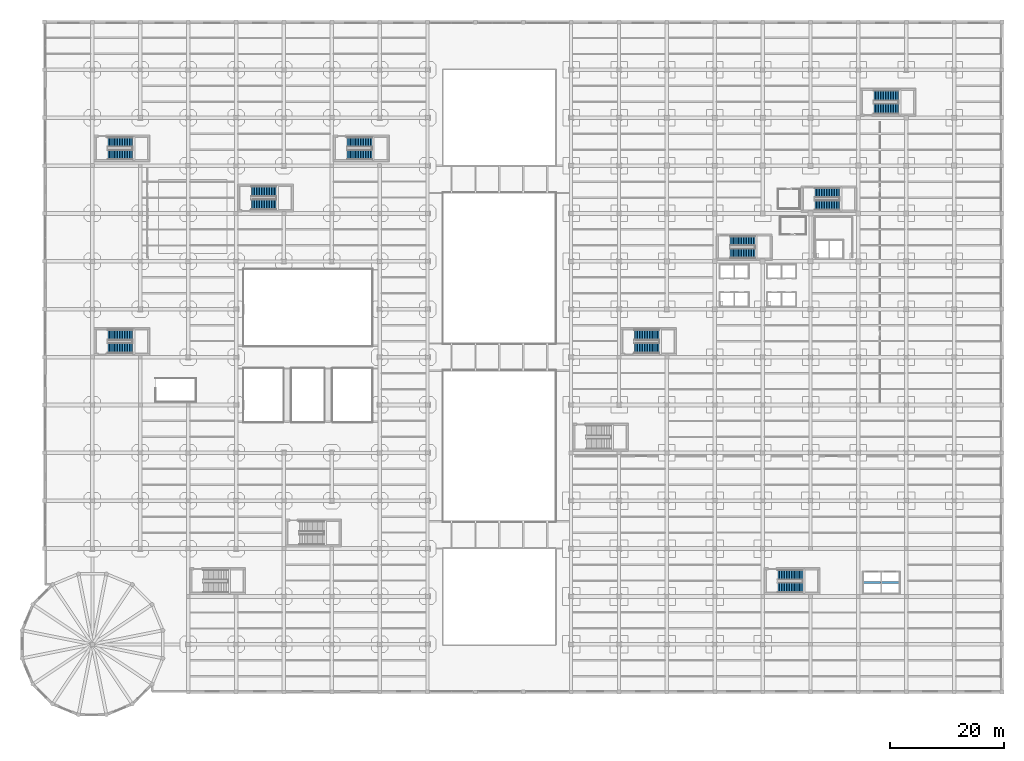
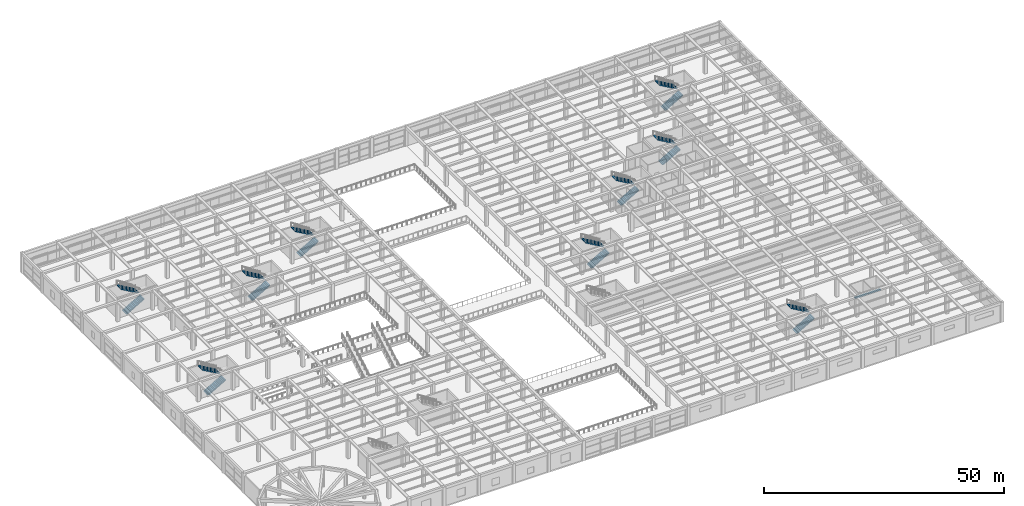
# One storey, part 54 of 65: 18 stair flights, 2 discrete accessories, 9 elements without a shape of their own.
"""IFC4 building model written with IfcOpenShell, lengths in metres."""

from ifc_helpers import new_model, si_unit, direction, frame, origin, origin_2d, place, context, subcontext, project, spatial, polyline, rectangle, outline, extrude, material, layer, layer_set, type_object, element, aggregate, save


model = new_model("IFC4")

# Units and contexts
model_context = context("Model", 3, precision=1e-05, world=origin(), true_north=direction((0.0, 1.0)))
body_context = subcontext(model_context, "Body", "Model", "MODEL_VIEW")
ifc_project = project(units=[si_unit("LENGTHUNIT", "METRE"), si_unit("AREAUNIT", "SQUARE_METRE"), si_unit("VOLUMEUNIT", "CUBIC_METRE"), si_unit("PLANEANGLEUNIT", "RADIAN"), si_unit("MASSUNIT", "GRAM", prefix="KILO")], contexts=[model_context])

# Site, building, storey
site_placement = place(None, origin())
site = spatial("IfcSite", under=ifc_project, at=site_placement, CompositionType="ELEMENT")
building_placement = place(site_placement, origin())
building = spatial("IfcBuilding", under=site, at=building_placement, Name="Almacenes y Pasaje Nevantli", CompositionType="ELEMENT")
storey_placement = place(building_placement, frame((0.0, 0.0, 16.800048828125)))
storey = spatial("IfcBuildingStorey", under=building, at=storey_placement, Name="L04", CompositionType="ELEMENT", Elevation=16.800048828125)

# Stair, stair flights
ifc_material_1 = material(Name="Concrete C35/45", Category="concrete")
stair_type_1 = type_object("IfcStairType", Name="STR-CORE-1720", PredefinedType="HALF_TURN_STAIR", material=ifc_material_1)
stair_1_placement = place(storey_placement, origin())
stair_1 = element("IfcStair", 1, at=stair_1_placement, inside=storey, type_object=stair_type_1, Name="L04 Staircase ST-01", PredefinedType="HALF_TURN_STAIR")
ifc_material_2 = material(Name="Concrete C35/45", Category="concrete")
ifc_layer_1 = layer(ifc_material_2, 0.199951171875)
ifc_layer_set_1 = layer_set([ifc_layer_1], Name="Concrete C35/45")
stair_flight_type = type_object("IfcStairFlightType", Name="SFL-RC-200", PredefinedType="STRAIGHT", material=ifc_layer_set_1)
stair_flight_1_placement = place(storey_placement, frame((120.300048828125, 77.010009765625, 0.0), z_axis=(0.0, 0.0, 1.0), x_axis=(1.0, 0.0, 0.0)))
stair_flight_1 = element("IfcStairFlight", 2, at=stair_flight_1_placement, type_object=stair_flight_type, Name="ST-01-L04 flight 1", NumberOfRisers=16, NumberOfTreads=15, PredefinedType="STRAIGHT", RiserHeight=0.16875, TreadLength=0.29, context=body_context, shape_type="SweptSolid", body=[
    extrude(outline(polyline([(0.0, 0.0), (0.0, 0.168701171875), (0.2900390625, 0.168701171875), (0.2900390625, 0.33740234375), (0.580078125, 0.33740234375), (0.580078125, 0.50634765625), (0.8701171875, 0.50634765625), (0.8701171875, 0.675048828125), (1.159912109375, 0.675048828125), (1.159912109375, 0.84375), (1.449951171875, 0.84375), (1.449951171875, 1.012451171875), (1.739990234375, 1.012451171875), (1.739990234375, 1.18115234375), (2.030029296875, 1.18115234375), (2.030029296875, 1.35009765625), (2.320068359375, 1.35009765625), (2.320068359375, 1.518798828125), (2.610107421875, 1.518798828125), (2.610107421875, 1.6875), (2.89990234375, 1.6875), (2.89990234375, 1.856201171875), (3.18994140625, 1.856201171875), (3.18994140625, 2.02490234375), (3.47998046875, 2.02490234375), (3.47998046875, 2.19384765625), (3.77001953125, 2.19384765625), (3.77001953125, 2.362548828125), (4.06005859375, 2.362548828125), (4.06005859375, 2.53125), (4.35009765625, 2.53125), (4.35009765625, 2.699951171875), (4.35009765625, 2.2998046875), (0.3974609375, 0.0), (0.0, 0.0)])), frame((0.0, 0.85986328125, 0.0), z_axis=(0.0, -1.0, 0.0), x_axis=(1.0, 0.0, 0.0)), (0.0, 0.0, 1.0), 1.719970703125),
])
stair_flight_2_placement = place(storey_placement, frame((124.64990234375, 79.179931640625, 2.699951171875), z_axis=(0.0, 0.0, 1.0), x_axis=(-1.0, 0.0, 0.0)))
stair_flight_2 = element("IfcStairFlight", 3, at=stair_flight_2_placement, type_object=stair_flight_type, Name="ST-01-L04 flight 2", NumberOfRisers=16, NumberOfTreads=15, PredefinedType="STRAIGHT", RiserHeight=0.16875, TreadLength=0.29, context=body_context, shape_type="SweptSolid", body=[
    extrude(outline(polyline([(0.0, 0.0), (0.0, 0.168701171875), (0.2900390625, 0.168701171875), (0.2900390625, 0.33740234375), (0.580078125, 0.33740234375), (0.580078125, 0.50634765625), (0.8701171875, 0.50634765625), (0.8701171875, 0.675048828125), (1.159912109375, 0.675048828125), (1.159912109375, 0.84375), (1.449951171875, 0.84375), (1.449951171875, 1.012451171875), (1.739990234375, 1.012451171875), (1.739990234375, 1.18115234375), (2.030029296875, 1.18115234375), (2.030029296875, 1.35009765625), (2.320068359375, 1.35009765625), (2.320068359375, 1.518798828125), (2.610107421875, 1.518798828125), (2.610107421875, 1.6875), (2.89990234375, 1.6875), (2.89990234375, 1.856201171875), (3.18994140625, 1.856201171875), (3.18994140625, 2.02490234375), (3.47998046875, 2.02490234375), (3.47998046875, 2.19384765625), (3.77001953125, 2.19384765625), (3.77001953125, 2.362548828125), (4.06005859375, 2.362548828125), (4.06005859375, 2.53125), (4.35009765625, 2.53125), (4.35009765625, 2.699951171875), (4.35009765625, 2.2998046875), (0.3974609375, 0.0), (0.0, 0.0)])), frame((0.0, 0.85986328125, 0.0), z_axis=(0.0, -1.0, 0.0), x_axis=(1.0, 0.0, 0.0)), (0.0, 0.0, 1.0), 1.719970703125),
])
aggregate(stair_1, [stair_flight_1, stair_flight_2])

stair_2_placement = place(storey_placement, origin())
stair_2 = element("IfcStair", 4, at=stair_2_placement, inside=storey, type_object=stair_type_1, Name="L04 Staircase ST-02", PredefinedType="HALF_TURN_STAIR")
stair_flight_3_placement = place(storey_placement, frame((135.14990234375, 85.4599609375, 0.0), z_axis=(0.0, 0.0, 1.0), x_axis=(1.0, 0.0, 0.0)))
stair_flight_3 = element("IfcStairFlight", 5, at=stair_flight_3_placement, type_object=stair_flight_type, Name="ST-02-L04 flight 1", NumberOfRisers=16, NumberOfTreads=15, PredefinedType="STRAIGHT", RiserHeight=0.16875, TreadLength=0.29, context=body_context, shape_type="SweptSolid", body=[
    extrude(outline(polyline([(0.0, 0.0), (0.0, 0.168701171875), (0.2900390625, 0.168701171875), (0.2900390625, 0.33740234375), (0.580078125, 0.33740234375), (0.580078125, 0.50634765625), (0.8701171875, 0.50634765625), (0.8701171875, 0.675048828125), (1.159912109375, 0.675048828125), (1.159912109375, 0.84375), (1.449951171875, 0.84375), (1.449951171875, 1.012451171875), (1.739990234375, 1.012451171875), (1.739990234375, 1.18115234375), (2.030029296875, 1.18115234375), (2.030029296875, 1.35009765625), (2.320068359375, 1.35009765625), (2.320068359375, 1.518798828125), (2.610107421875, 1.518798828125), (2.610107421875, 1.6875), (2.89990234375, 1.6875), (2.89990234375, 1.856201171875), (3.18994140625, 1.856201171875), (3.18994140625, 2.02490234375), (3.47998046875, 2.02490234375), (3.47998046875, 2.19384765625), (3.77001953125, 2.19384765625), (3.77001953125, 2.362548828125), (4.06005859375, 2.362548828125), (4.06005859375, 2.53125), (4.35009765625, 2.53125), (4.35009765625, 2.699951171875), (4.35009765625, 2.2998046875), (0.3974609375, 0.0), (0.0, 0.0)])), frame((0.0, 0.85986328125, 0.0), z_axis=(0.0, -1.0, 0.0), x_axis=(1.0, 0.0, 0.0)), (0.0, 0.0, 1.0), 1.719970703125),
])
stair_flight_4_placement = place(storey_placement, frame((139.5, 87.6298828125, 2.699951171875), z_axis=(0.0, 0.0, 1.0), x_axis=(-1.0, 0.0, 0.0)))
stair_flight_4 = element("IfcStairFlight", 6, at=stair_flight_4_placement, type_object=stair_flight_type, Name="ST-02-L04 flight 2", NumberOfRisers=16, NumberOfTreads=15, PredefinedType="STRAIGHT", RiserHeight=0.16875, TreadLength=0.29, context=body_context, shape_type="SweptSolid", body=[
    extrude(outline(polyline([(0.0, 0.0), (0.0, 0.168701171875), (0.2900390625, 0.168701171875), (0.2900390625, 0.33740234375), (0.580078125, 0.33740234375), (0.580078125, 0.50634765625), (0.8701171875, 0.50634765625), (0.8701171875, 0.675048828125), (1.159912109375, 0.675048828125), (1.159912109375, 0.84375), (1.449951171875, 0.84375), (1.449951171875, 1.012451171875), (1.739990234375, 1.012451171875), (1.739990234375, 1.18115234375), (2.030029296875, 1.18115234375), (2.030029296875, 1.35009765625), (2.320068359375, 1.35009765625), (2.320068359375, 1.518798828125), (2.610107421875, 1.518798828125), (2.610107421875, 1.6875), (2.89990234375, 1.6875), (2.89990234375, 1.856201171875), (3.18994140625, 1.856201171875), (3.18994140625, 2.02490234375), (3.47998046875, 2.02490234375), (3.47998046875, 2.19384765625), (3.77001953125, 2.19384765625), (3.77001953125, 2.362548828125), (4.06005859375, 2.362548828125), (4.06005859375, 2.53125), (4.35009765625, 2.53125), (4.35009765625, 2.699951171875), (4.35009765625, 2.2998046875), (0.3974609375, 0.0), (0.0, 0.0)])), frame((0.0, 0.85986328125, 0.0), z_axis=(0.0, -1.0, 0.0), x_axis=(1.0, 0.0, 0.0)), (0.0, 0.0, 1.0), 1.719970703125),
])
aggregate(stair_2, [stair_flight_3, stair_flight_4])

ifc_material_3 = material(Name="Concrete C35/45", Category="concrete")
stair_type_2 = type_object("IfcStairType", Name="STR-CORE-1750", PredefinedType="HALF_TURN_STAIR", material=ifc_material_3)
stair_3_placement = place(storey_placement, origin())
stair_3 = element("IfcStair", 7, at=stair_3_placement, inside=storey, type_object=stair_type_2, Name="L04 Staircase ST-03", PredefinedType="HALF_TURN_STAIR")
stair_flight_5_placement = place(storey_placement, frame((11.10009765625, 94.324951171875, 0.0), z_axis=(0.0, 0.0, 1.0), x_axis=(1.0, 0.0, 0.0)))
stair_flight_5 = element("IfcStairFlight", 8, at=stair_flight_5_placement, type_object=stair_flight_type, Name="ST-03-L04 flight 1", NumberOfRisers=16, NumberOfTreads=15, PredefinedType="STRAIGHT", RiserHeight=0.16875, TreadLength=0.29, context=body_context, shape_type="SweptSolid", body=[
    extrude(outline(polyline([(0.0, 0.0), (0.0, 0.168701171875), (0.2900390625, 0.168701171875), (0.2900390625, 0.33740234375), (0.580078125, 0.33740234375), (0.580078125, 0.50634765625), (0.8701171875, 0.50634765625), (0.8701171875, 0.675048828125), (1.159912109375, 0.675048828125), (1.159912109375, 0.84375), (1.449951171875, 0.84375), (1.449951171875, 1.012451171875), (1.739990234375, 1.012451171875), (1.739990234375, 1.18115234375), (2.030029296875, 1.18115234375), (2.030029296875, 1.35009765625), (2.320068359375, 1.35009765625), (2.320068359375, 1.518798828125), (2.610107421875, 1.518798828125), (2.610107421875, 1.6875), (2.89990234375, 1.6875), (2.89990234375, 1.856201171875), (3.18994140625, 1.856201171875), (3.18994140625, 2.02490234375), (3.47998046875, 2.02490234375), (3.47998046875, 2.19384765625), (3.77001953125, 2.19384765625), (3.77001953125, 2.362548828125), (4.06005859375, 2.362548828125), (4.06005859375, 2.53125), (4.35009765625, 2.53125), (4.35009765625, 2.699951171875), (4.35009765625, 2.2998046875), (0.3974609375, 0.0), (0.0, 0.0)])), frame((0.0, 0.875, 0.0), z_axis=(0.0, -1.0, 0.0), x_axis=(1.0, 0.0, 0.0)), (0.0, 0.0, 1.0), 1.75),
])
stair_flight_6_placement = place(storey_placement, frame((15.449951171875, 96.52490234375, 2.699951171875), z_axis=(0.0, 0.0, 1.0), x_axis=(-1.0, 0.0, 0.0)))
stair_flight_6 = element("IfcStairFlight", 9, at=stair_flight_6_placement, type_object=stair_flight_type, Name="ST-03-L04 flight 2", NumberOfRisers=16, NumberOfTreads=15, PredefinedType="STRAIGHT", RiserHeight=0.16875, TreadLength=0.29, context=body_context, shape_type="SweptSolid", body=[
    extrude(outline(polyline([(0.0, 0.0), (0.0, 0.168701171875), (0.2900390625, 0.168701171875), (0.2900390625, 0.33740234375), (0.580078125, 0.33740234375), (0.580078125, 0.50634765625), (0.8701171875, 0.50634765625), (0.8701171875, 0.675048828125), (1.159912109375, 0.675048828125), (1.159912109375, 0.84375), (1.449951171875, 0.84375), (1.449951171875, 1.012451171875), (1.739990234375, 1.012451171875), (1.739990234375, 1.18115234375), (2.030029296875, 1.18115234375), (2.030029296875, 1.35009765625), (2.320068359375, 1.35009765625), (2.320068359375, 1.518798828125), (2.610107421875, 1.518798828125), (2.610107421875, 1.6875), (2.89990234375, 1.6875), (2.89990234375, 1.856201171875), (3.18994140625, 1.856201171875), (3.18994140625, 2.02490234375), (3.47998046875, 2.02490234375), (3.47998046875, 2.19384765625), (3.77001953125, 2.19384765625), (3.77001953125, 2.362548828125), (4.06005859375, 2.362548828125), (4.06005859375, 2.53125), (4.35009765625, 2.53125), (4.35009765625, 2.699951171875), (4.35009765625, 2.2998046875), (0.3974609375, 0.0), (0.0, 0.0)])), frame((0.0, 0.875, 0.0), z_axis=(0.0, -1.0, 0.0), x_axis=(1.0, 0.0, 0.0)), (0.0, 0.0, 1.0), 1.75),
])
aggregate(stair_3, [stair_flight_5, stair_flight_6])

stair_4_placement = place(storey_placement, origin())
stair_4 = element("IfcStair", 10, at=stair_4_placement, inside=storey, type_object=stair_type_2, Name="L04 Staircase ST-05", PredefinedType="HALF_TURN_STAIR")
stair_flight_7_placement = place(storey_placement, frame((53.10009765625, 94.324951171875, 0.0), z_axis=(0.0, 0.0, 1.0), x_axis=(1.0, 0.0, 0.0)))
stair_flight_7 = element("IfcStairFlight", 11, at=stair_flight_7_placement, type_object=stair_flight_type, Name="ST-05-L04 flight 1", NumberOfRisers=16, NumberOfTreads=15, PredefinedType="STRAIGHT", RiserHeight=0.16875, TreadLength=0.29, context=body_context, shape_type="SweptSolid", body=[
    extrude(outline(polyline([(0.0, 0.0), (0.0, 0.168701171875), (0.2900390625, 0.168701171875), (0.2900390625, 0.33740234375), (0.580078125, 0.33740234375), (0.580078125, 0.50634765625), (0.8701171875, 0.50634765625), (0.8701171875, 0.675048828125), (1.159912109375, 0.675048828125), (1.159912109375, 0.84375), (1.449951171875, 0.84375), (1.449951171875, 1.012451171875), (1.739990234375, 1.012451171875), (1.739990234375, 1.18115234375), (2.030029296875, 1.18115234375), (2.030029296875, 1.35009765625), (2.320068359375, 1.35009765625), (2.320068359375, 1.518798828125), (2.610107421875, 1.518798828125), (2.610107421875, 1.6875), (2.89990234375, 1.6875), (2.89990234375, 1.856201171875), (3.18994140625, 1.856201171875), (3.18994140625, 2.02490234375), (3.47998046875, 2.02490234375), (3.47998046875, 2.19384765625), (3.77001953125, 2.19384765625), (3.77001953125, 2.362548828125), (4.06005859375, 2.362548828125), (4.06005859375, 2.53125), (4.35009765625, 2.53125), (4.35009765625, 2.699951171875), (4.35009765625, 2.2998046875), (0.3974609375, 0.0), (0.0, 0.0)])), frame((0.0, 0.875, 0.0), z_axis=(0.0, -1.0, 0.0), x_axis=(1.0, 0.0, 0.0)), (0.0, 0.0, 1.0), 1.75),
])
stair_flight_8_placement = place(storey_placement, frame((57.449951171875, 96.52490234375, 2.699951171875), z_axis=(0.0, 0.0, 1.0), x_axis=(-1.0, 0.0, 0.0)))
stair_flight_8 = element("IfcStairFlight", 12, at=stair_flight_8_placement, type_object=stair_flight_type, Name="ST-05-L04 flight 2", NumberOfRisers=16, NumberOfTreads=15, PredefinedType="STRAIGHT", RiserHeight=0.16875, TreadLength=0.29, context=body_context, shape_type="SweptSolid", body=[
    extrude(outline(polyline([(0.0, 0.0), (0.0, 0.168701171875), (0.2900390625, 0.168701171875), (0.2900390625, 0.33740234375), (0.580078125, 0.33740234375), (0.580078125, 0.50634765625), (0.8701171875, 0.50634765625), (0.8701171875, 0.675048828125), (1.159912109375, 0.675048828125), (1.159912109375, 0.84375), (1.449951171875, 0.84375), (1.449951171875, 1.012451171875), (1.739990234375, 1.012451171875), (1.739990234375, 1.18115234375), (2.030029296875, 1.18115234375), (2.030029296875, 1.35009765625), (2.320068359375, 1.35009765625), (2.320068359375, 1.518798828125), (2.610107421875, 1.518798828125), (2.610107421875, 1.6875), (2.89990234375, 1.6875), (2.89990234375, 1.856201171875), (3.18994140625, 1.856201171875), (3.18994140625, 2.02490234375), (3.47998046875, 2.02490234375), (3.47998046875, 2.19384765625), (3.77001953125, 2.19384765625), (3.77001953125, 2.362548828125), (4.06005859375, 2.362548828125), (4.06005859375, 2.53125), (4.35009765625, 2.53125), (4.35009765625, 2.699951171875), (4.35009765625, 2.2998046875), (0.3974609375, 0.0), (0.0, 0.0)])), frame((0.0, 0.875, 0.0), z_axis=(0.0, -1.0, 0.0), x_axis=(1.0, 0.0, 0.0)), (0.0, 0.0, 1.0), 1.75),
])
aggregate(stair_4, [stair_flight_7, stair_flight_8])

stair_5_placement = place(storey_placement, origin())
stair_5 = element("IfcStair", 13, at=stair_5_placement, inside=storey, type_object=stair_type_2, Name="L04 Staircase ST-06", PredefinedType="HALF_TURN_STAIR")
stair_flight_9_placement = place(storey_placement, frame((128.699951171875, 18.375, 0.0), z_axis=(0.0, 0.0, 1.0), x_axis=(1.0, 0.0, 0.0)))
stair_flight_9 = element("IfcStairFlight", 14, at=stair_flight_9_placement, type_object=stair_flight_type, Name="ST-06-L04 flight 1", NumberOfRisers=16, NumberOfTreads=15, PredefinedType="STRAIGHT", RiserHeight=0.16875, TreadLength=0.29, context=body_context, shape_type="SweptSolid", body=[
    extrude(outline(polyline([(0.0, 0.0), (0.0, 0.168701171875), (0.2900390625, 0.168701171875), (0.2900390625, 0.33740234375), (0.580078125, 0.33740234375), (0.580078125, 0.50634765625), (0.8701171875, 0.50634765625), (0.8701171875, 0.675048828125), (1.159912109375, 0.675048828125), (1.159912109375, 0.84375), (1.449951171875, 0.84375), (1.449951171875, 1.012451171875), (1.739990234375, 1.012451171875), (1.739990234375, 1.18115234375), (2.030029296875, 1.18115234375), (2.030029296875, 1.35009765625), (2.320068359375, 1.35009765625), (2.320068359375, 1.518798828125), (2.610107421875, 1.518798828125), (2.610107421875, 1.6875), (2.89990234375, 1.6875), (2.89990234375, 1.856201171875), (3.18994140625, 1.856201171875), (3.18994140625, 2.02490234375), (3.47998046875, 2.02490234375), (3.47998046875, 2.19384765625), (3.77001953125, 2.19384765625), (3.77001953125, 2.362548828125), (4.06005859375, 2.362548828125), (4.06005859375, 2.53125), (4.35009765625, 2.53125), (4.35009765625, 2.699951171875), (4.35009765625, 2.2998046875), (0.3974609375, 0.0), (0.0, 0.0)])), frame((0.0, 0.875, 0.0), z_axis=(0.0, -1.0, 0.0), x_axis=(1.0, 0.0, 0.0)), (0.0, 0.0, 1.0), 1.75),
])
stair_flight_10_placement = place(storey_placement, frame((133.050048828125, 20.574951171875, 2.699951171875), z_axis=(0.0, 0.0, 1.0), x_axis=(-1.0, 0.0, 0.0)))
stair_flight_10 = element("IfcStairFlight", 15, at=stair_flight_10_placement, type_object=stair_flight_type, Name="ST-06-L04 flight 2", NumberOfRisers=16, NumberOfTreads=15, PredefinedType="STRAIGHT", RiserHeight=0.16875, TreadLength=0.29, context=body_context, shape_type="SweptSolid", body=[
    extrude(outline(polyline([(0.0, 0.0), (0.0, 0.168701171875), (0.2900390625, 0.168701171875), (0.2900390625, 0.33740234375), (0.580078125, 0.33740234375), (0.580078125, 0.50634765625), (0.8701171875, 0.50634765625), (0.8701171875, 0.675048828125), (1.159912109375, 0.675048828125), (1.159912109375, 0.84375), (1.449951171875, 0.84375), (1.449951171875, 1.012451171875), (1.739990234375, 1.012451171875), (1.739990234375, 1.18115234375), (2.030029296875, 1.18115234375), (2.030029296875, 1.35009765625), (2.320068359375, 1.35009765625), (2.320068359375, 1.518798828125), (2.610107421875, 1.518798828125), (2.610107421875, 1.6875), (2.89990234375, 1.6875), (2.89990234375, 1.856201171875), (3.18994140625, 1.856201171875), (3.18994140625, 2.02490234375), (3.47998046875, 2.02490234375), (3.47998046875, 2.19384765625), (3.77001953125, 2.19384765625), (3.77001953125, 2.362548828125), (4.06005859375, 2.362548828125), (4.06005859375, 2.53125), (4.35009765625, 2.53125), (4.35009765625, 2.699951171875), (4.35009765625, 2.2998046875), (0.3974609375, 0.0), (0.0, 0.0)])), frame((0.0, 0.875, 0.0), z_axis=(0.0, -1.0, 0.0), x_axis=(1.0, 0.0, 0.0)), (0.0, 0.0, 1.0), 1.75),
])
aggregate(stair_5, [stair_flight_9, stair_flight_10])

ifc_material_4 = material(Name="Concrete C35/45", Category="concrete")
stair_type_3 = type_object("IfcStairType", Name="STR-CORE-1850", PredefinedType="HALF_TURN_STAIR", material=ifc_material_4)
stair_6_placement = place(storey_placement, origin())
stair_6 = element("IfcStair", 16, at=stair_6_placement, inside=storey, type_object=stair_type_3, Name="L04 Staircase ST-07", PredefinedType="HALF_TURN_STAIR")
stair_flight_11_placement = place(storey_placement, frame((145.5, 102.375, 0.0), z_axis=(0.0, 0.0, 1.0), x_axis=(1.0, 0.0, 0.0)))
stair_flight_11 = element("IfcStairFlight", 17, at=stair_flight_11_placement, type_object=stair_flight_type, Name="ST-07-L04 flight 1", NumberOfRisers=16, NumberOfTreads=15, PredefinedType="STRAIGHT", RiserHeight=0.16875, TreadLength=0.29, context=body_context, shape_type="SweptSolid", body=[
    extrude(outline(polyline([(0.0, 0.0), (0.0, 0.168701171875), (0.2900390625, 0.168701171875), (0.2900390625, 0.33740234375), (0.580078125, 0.33740234375), (0.580078125, 0.50634765625), (0.8701171875, 0.50634765625), (0.8701171875, 0.675048828125), (1.159912109375, 0.675048828125), (1.159912109375, 0.84375), (1.449951171875, 0.84375), (1.449951171875, 1.012451171875), (1.739990234375, 1.012451171875), (1.739990234375, 1.18115234375), (2.030029296875, 1.18115234375), (2.030029296875, 1.35009765625), (2.320068359375, 1.35009765625), (2.320068359375, 1.518798828125), (2.610107421875, 1.518798828125), (2.610107421875, 1.6875), (2.89990234375, 1.6875), (2.89990234375, 1.856201171875), (3.18994140625, 1.856201171875), (3.18994140625, 2.02490234375), (3.47998046875, 2.02490234375), (3.47998046875, 2.19384765625), (3.77001953125, 2.19384765625), (3.77001953125, 2.362548828125), (4.06005859375, 2.362548828125), (4.06005859375, 2.53125), (4.35009765625, 2.53125), (4.35009765625, 2.699951171875), (4.35009765625, 2.2998046875), (0.3974609375, 0.0), (0.0, 0.0)])), frame((0.0, 0.925048828125, 0.0), z_axis=(0.0, -1.0, 0.0), x_axis=(1.0, 0.0, 0.0)), (0.0, 0.0, 1.0), 1.85009765625),
])
stair_flight_12_placement = place(storey_placement, frame((149.85009765625, 104.675048828125, 2.699951171875), z_axis=(0.0, 0.0, 1.0), x_axis=(-1.0, 0.0, 0.0)))
stair_flight_12 = element("IfcStairFlight", 18, at=stair_flight_12_placement, type_object=stair_flight_type, Name="ST-07-L04 flight 2", NumberOfRisers=16, NumberOfTreads=15, PredefinedType="STRAIGHT", RiserHeight=0.16875, TreadLength=0.29, context=body_context, shape_type="SweptSolid", body=[
    extrude(outline(polyline([(0.0, 0.0), (0.0, 0.168701171875), (0.2900390625, 0.168701171875), (0.2900390625, 0.33740234375), (0.580078125, 0.33740234375), (0.580078125, 0.50634765625), (0.8701171875, 0.50634765625), (0.8701171875, 0.675048828125), (1.159912109375, 0.675048828125), (1.159912109375, 0.84375), (1.449951171875, 0.84375), (1.449951171875, 1.012451171875), (1.739990234375, 1.012451171875), (1.739990234375, 1.18115234375), (2.030029296875, 1.18115234375), (2.030029296875, 1.35009765625), (2.320068359375, 1.35009765625), (2.320068359375, 1.518798828125), (2.610107421875, 1.518798828125), (2.610107421875, 1.6875), (2.89990234375, 1.6875), (2.89990234375, 1.856201171875), (3.18994140625, 1.856201171875), (3.18994140625, 2.02490234375), (3.47998046875, 2.02490234375), (3.47998046875, 2.19384765625), (3.77001953125, 2.19384765625), (3.77001953125, 2.362548828125), (4.06005859375, 2.362548828125), (4.06005859375, 2.53125), (4.35009765625, 2.53125), (4.35009765625, 2.699951171875), (4.35009765625, 2.2998046875), (0.3974609375, 0.0), (0.0, 0.0)])), frame((0.0, 0.925048828125, 0.0), z_axis=(0.0, -1.0, 0.0), x_axis=(1.0, 0.0, 0.0)), (0.0, 0.0, 1.0), 1.85009765625),
])
aggregate(stair_6, [stair_flight_11, stair_flight_12])

stair_7_placement = place(storey_placement, origin())
stair_7 = element("IfcStair", 19, at=stair_7_placement, inside=storey, type_object=stair_type_3, Name="L04 Staircase ST-12", PredefinedType="HALF_TURN_STAIR")
stair_flight_13_placement = place(storey_placement, frame((11.10009765625, 60.375, 0.0), z_axis=(0.0, 0.0, 1.0), x_axis=(1.0, 0.0, 0.0)))
stair_flight_13 = element("IfcStairFlight", 20, at=stair_flight_13_placement, type_object=stair_flight_type, Name="ST-12-L04 flight 1", NumberOfRisers=16, NumberOfTreads=15, PredefinedType="STRAIGHT", RiserHeight=0.16875, TreadLength=0.29, context=body_context, shape_type="SweptSolid", body=[
    extrude(outline(polyline([(0.0, 0.0), (0.0, 0.168701171875), (0.2900390625, 0.168701171875), (0.2900390625, 0.33740234375), (0.580078125, 0.33740234375), (0.580078125, 0.50634765625), (0.8701171875, 0.50634765625), (0.8701171875, 0.675048828125), (1.159912109375, 0.675048828125), (1.159912109375, 0.84375), (1.449951171875, 0.84375), (1.449951171875, 1.012451171875), (1.739990234375, 1.012451171875), (1.739990234375, 1.18115234375), (2.030029296875, 1.18115234375), (2.030029296875, 1.35009765625), (2.320068359375, 1.35009765625), (2.320068359375, 1.518798828125), (2.610107421875, 1.518798828125), (2.610107421875, 1.6875), (2.89990234375, 1.6875), (2.89990234375, 1.856201171875), (3.18994140625, 1.856201171875), (3.18994140625, 2.02490234375), (3.47998046875, 2.02490234375), (3.47998046875, 2.19384765625), (3.77001953125, 2.19384765625), (3.77001953125, 2.362548828125), (4.06005859375, 2.362548828125), (4.06005859375, 2.53125), (4.35009765625, 2.53125), (4.35009765625, 2.699951171875), (4.35009765625, 2.2998046875), (0.3974609375, 0.0), (0.0, 0.0)])), frame((0.0, 0.925048828125, 0.0), z_axis=(0.0, -1.0, 0.0), x_axis=(1.0, 0.0, 0.0)), (0.0, 0.0, 1.0), 1.85009765625),
])
stair_flight_14_placement = place(storey_placement, frame((15.449951171875, 62.675048828125, 2.699951171875), z_axis=(0.0, 0.0, 1.0), x_axis=(-1.0, 0.0, 0.0)))
stair_flight_14 = element("IfcStairFlight", 21, at=stair_flight_14_placement, type_object=stair_flight_type, Name="ST-12-L04 flight 2", NumberOfRisers=16, NumberOfTreads=15, PredefinedType="STRAIGHT", RiserHeight=0.16875, TreadLength=0.29, context=body_context, shape_type="SweptSolid", body=[
    extrude(outline(polyline([(0.0, 0.0), (0.0, 0.168701171875), (0.2900390625, 0.168701171875), (0.2900390625, 0.33740234375), (0.580078125, 0.33740234375), (0.580078125, 0.50634765625), (0.8701171875, 0.50634765625), (0.8701171875, 0.675048828125), (1.159912109375, 0.675048828125), (1.159912109375, 0.84375), (1.449951171875, 0.84375), (1.449951171875, 1.012451171875), (1.739990234375, 1.012451171875), (1.739990234375, 1.18115234375), (2.030029296875, 1.18115234375), (2.030029296875, 1.35009765625), (2.320068359375, 1.35009765625), (2.320068359375, 1.518798828125), (2.610107421875, 1.518798828125), (2.610107421875, 1.6875), (2.89990234375, 1.6875), (2.89990234375, 1.856201171875), (3.18994140625, 1.856201171875), (3.18994140625, 2.02490234375), (3.47998046875, 2.02490234375), (3.47998046875, 2.19384765625), (3.77001953125, 2.19384765625), (3.77001953125, 2.362548828125), (4.06005859375, 2.362548828125), (4.06005859375, 2.53125), (4.35009765625, 2.53125), (4.35009765625, 2.699951171875), (4.35009765625, 2.2998046875), (0.3974609375, 0.0), (0.0, 0.0)])), frame((0.0, 0.925048828125, 0.0), z_axis=(0.0, -1.0, 0.0), x_axis=(1.0, 0.0, 0.0)), (0.0, 0.0, 1.0), 1.85009765625),
])
aggregate(stair_7, [stair_flight_13, stair_flight_14])

stair_8_placement = place(storey_placement, origin())
stair_8 = element("IfcStair", 22, at=stair_8_placement, inside=storey, type_object=stair_type_3, Name="L04 Staircase ST-13", PredefinedType="HALF_TURN_STAIR")
stair_flight_15_placement = place(storey_placement, frame((103.5, 60.375, 0.0), z_axis=(0.0, 0.0, 1.0), x_axis=(1.0, 0.0, 0.0)))
stair_flight_15 = element("IfcStairFlight", 23, at=stair_flight_15_placement, type_object=stair_flight_type, Name="ST-13-L04 flight 1", NumberOfRisers=16, NumberOfTreads=15, PredefinedType="STRAIGHT", RiserHeight=0.16875, TreadLength=0.29, context=body_context, shape_type="SweptSolid", body=[
    extrude(outline(polyline([(0.0, 0.0), (0.0, 0.168701171875), (0.2900390625, 0.168701171875), (0.2900390625, 0.33740234375), (0.580078125, 0.33740234375), (0.580078125, 0.50634765625), (0.8701171875, 0.50634765625), (0.8701171875, 0.675048828125), (1.159912109375, 0.675048828125), (1.159912109375, 0.84375), (1.449951171875, 0.84375), (1.449951171875, 1.012451171875), (1.739990234375, 1.012451171875), (1.739990234375, 1.18115234375), (2.030029296875, 1.18115234375), (2.030029296875, 1.35009765625), (2.320068359375, 1.35009765625), (2.320068359375, 1.518798828125), (2.610107421875, 1.518798828125), (2.610107421875, 1.6875), (2.89990234375, 1.6875), (2.89990234375, 1.856201171875), (3.18994140625, 1.856201171875), (3.18994140625, 2.02490234375), (3.47998046875, 2.02490234375), (3.47998046875, 2.19384765625), (3.77001953125, 2.19384765625), (3.77001953125, 2.362548828125), (4.06005859375, 2.362548828125), (4.06005859375, 2.53125), (4.35009765625, 2.53125), (4.35009765625, 2.699951171875), (4.35009765625, 2.2998046875), (0.3974609375, 0.0), (0.0, 0.0)])), frame((0.0, 0.925048828125, 0.0), z_axis=(0.0, -1.0, 0.0), x_axis=(1.0, 0.0, 0.0)), (0.0, 0.0, 1.0), 1.85009765625),
])
stair_flight_16_placement = place(storey_placement, frame((107.85009765625, 62.675048828125, 2.699951171875), z_axis=(0.0, 0.0, 1.0), x_axis=(-1.0, 0.0, 0.0)))
stair_flight_16 = element("IfcStairFlight", 24, at=stair_flight_16_placement, type_object=stair_flight_type, Name="ST-13-L04 flight 2", NumberOfRisers=16, NumberOfTreads=15, PredefinedType="STRAIGHT", RiserHeight=0.16875, TreadLength=0.29, context=body_context, shape_type="SweptSolid", body=[
    extrude(outline(polyline([(0.0, 0.0), (0.0, 0.168701171875), (0.2900390625, 0.168701171875), (0.2900390625, 0.33740234375), (0.580078125, 0.33740234375), (0.580078125, 0.50634765625), (0.8701171875, 0.50634765625), (0.8701171875, 0.675048828125), (1.159912109375, 0.675048828125), (1.159912109375, 0.84375), (1.449951171875, 0.84375), (1.449951171875, 1.012451171875), (1.739990234375, 1.012451171875), (1.739990234375, 1.18115234375), (2.030029296875, 1.18115234375), (2.030029296875, 1.35009765625), (2.320068359375, 1.35009765625), (2.320068359375, 1.518798828125), (2.610107421875, 1.518798828125), (2.610107421875, 1.6875), (2.89990234375, 1.6875), (2.89990234375, 1.856201171875), (3.18994140625, 1.856201171875), (3.18994140625, 2.02490234375), (3.47998046875, 2.02490234375), (3.47998046875, 2.19384765625), (3.77001953125, 2.19384765625), (3.77001953125, 2.362548828125), (4.06005859375, 2.362548828125), (4.06005859375, 2.53125), (4.35009765625, 2.53125), (4.35009765625, 2.699951171875), (4.35009765625, 2.2998046875), (0.3974609375, 0.0), (0.0, 0.0)])), frame((0.0, 0.925048828125, 0.0), z_axis=(0.0, -1.0, 0.0), x_axis=(1.0, 0.0, 0.0)), (0.0, 0.0, 1.0), 1.85009765625),
])
aggregate(stair_8, [stair_flight_15, stair_flight_16])

stair_9_placement = place(storey_placement, origin())
stair_9 = element("IfcStair", 25, at=stair_9_placement, inside=storey, type_object=stair_type_3, Name="L04 Staircase ST-15", PredefinedType="HALF_TURN_STAIR")
stair_flight_17_placement = place(storey_placement, frame((36.300048828125, 85.574951171875, 0.0), z_axis=(0.0, 0.0, 1.0), x_axis=(1.0, 0.0, 0.0)))
stair_flight_17 = element("IfcStairFlight", 26, at=stair_flight_17_placement, type_object=stair_flight_type, Name="ST-15-L04 flight 1", NumberOfRisers=16, NumberOfTreads=15, PredefinedType="STRAIGHT", RiserHeight=0.16875, TreadLength=0.29, context=body_context, shape_type="SweptSolid", body=[
    extrude(outline(polyline([(0.0, 0.0), (0.0, 0.168701171875), (0.2900390625, 0.168701171875), (0.2900390625, 0.33740234375), (0.580078125, 0.33740234375), (0.580078125, 0.50634765625), (0.8701171875, 0.50634765625), (0.8701171875, 0.675048828125), (1.159912109375, 0.675048828125), (1.159912109375, 0.84375), (1.449951171875, 0.84375), (1.449951171875, 1.012451171875), (1.739990234375, 1.012451171875), (1.739990234375, 1.18115234375), (2.030029296875, 1.18115234375), (2.030029296875, 1.35009765625), (2.320068359375, 1.35009765625), (2.320068359375, 1.518798828125), (2.610107421875, 1.518798828125), (2.610107421875, 1.6875), (2.89990234375, 1.6875), (2.89990234375, 1.856201171875), (3.18994140625, 1.856201171875), (3.18994140625, 2.02490234375), (3.47998046875, 2.02490234375), (3.47998046875, 2.19384765625), (3.77001953125, 2.19384765625), (3.77001953125, 2.362548828125), (4.06005859375, 2.362548828125), (4.06005859375, 2.53125), (4.35009765625, 2.53125), (4.35009765625, 2.699951171875), (4.35009765625, 2.2998046875), (0.3974609375, 0.0), (0.0, 0.0)])), frame((0.0, 0.925048828125, 0.0), z_axis=(0.0, -1.0, 0.0), x_axis=(1.0, 0.0, 0.0)), (0.0, 0.0, 1.0), 1.85009765625),
])
stair_flight_18_placement = place(storey_placement, frame((40.64990234375, 87.875, 2.699951171875), z_axis=(0.0, 0.0, 1.0), x_axis=(-1.0, 0.0, 0.0)))
stair_flight_18 = element("IfcStairFlight", 27, at=stair_flight_18_placement, type_object=stair_flight_type, Name="ST-15-L04 flight 2", NumberOfRisers=16, NumberOfTreads=15, PredefinedType="STRAIGHT", RiserHeight=0.16875, TreadLength=0.29, context=body_context, shape_type="SweptSolid", body=[
    extrude(outline(polyline([(0.0, 0.0), (0.0, 0.168701171875), (0.2900390625, 0.168701171875), (0.2900390625, 0.33740234375), (0.580078125, 0.33740234375), (0.580078125, 0.50634765625), (0.8701171875, 0.50634765625), (0.8701171875, 0.675048828125), (1.159912109375, 0.675048828125), (1.159912109375, 0.84375), (1.449951171875, 0.84375), (1.449951171875, 1.012451171875), (1.739990234375, 1.012451171875), (1.739990234375, 1.18115234375), (2.030029296875, 1.18115234375), (2.030029296875, 1.35009765625), (2.320068359375, 1.35009765625), (2.320068359375, 1.518798828125), (2.610107421875, 1.518798828125), (2.610107421875, 1.6875), (2.89990234375, 1.6875), (2.89990234375, 1.856201171875), (3.18994140625, 1.856201171875), (3.18994140625, 2.02490234375), (3.47998046875, 2.02490234375), (3.47998046875, 2.19384765625), (3.77001953125, 2.19384765625), (3.77001953125, 2.362548828125), (4.06005859375, 2.362548828125), (4.06005859375, 2.53125), (4.35009765625, 2.53125), (4.35009765625, 2.699951171875), (4.35009765625, 2.2998046875), (0.3974609375, 0.0), (0.0, 0.0)])), frame((0.0, 0.925048828125, 0.0), z_axis=(0.0, -1.0, 0.0), x_axis=(1.0, 0.0, 0.0)), (0.0, 0.0, 1.0), 1.85009765625),
])
aggregate(stair_9, [stair_flight_17, stair_flight_18])

# Discrete accessories
ifc_material_5 = material(Name="Steel ASTM A36", Category="steel")
ifc_layer_2 = layer(ifc_material_5, 0.35009765625)
ifc_layer_set_2 = layer_set([ifc_layer_2], Name="Steel ASTM A36")
discrete_accessory_type = type_object("IfcDiscreteAccessoryType", Name="ACC-LIFT-MACH", PredefinedType="USERDEFINED", material=ifc_layer_set_2)
for number, where, z_axis, x_axis, name in (
    (28, (145.199951171875, 19.25, 2.6748046875), (0.0, 0.0, 1.0), (1.0, 0.0, 0.0), "Elevator Traction Sheave Machine ELV-G01"),
    (29, (148.39990234375, 19.25, 2.6748046875), (0.0, 0.0, 1.0), (1.0, 0.0, 0.0), "Elevator Traction Sheave Machine ELV-G02"),
):
    element("IfcDiscreteAccessory", number, at=place(storey_placement, frame(where, z_axis=z_axis, x_axis=x_axis)), inside=storey, type_object=discrete_accessory_type, Name=name, ObjectType="TRACTION MACHINE", PredefinedType="USERDEFINED", context=body_context, shape_type="SweptSolid", body=[
        extrude(rectangle(XDim=3.0400390625, YDim=0.360107421875, at=origin_2d()), origin(), (0.0, 0.0, 1.0), 0.35009765625),
    ])

save(model, "model.ifc")
